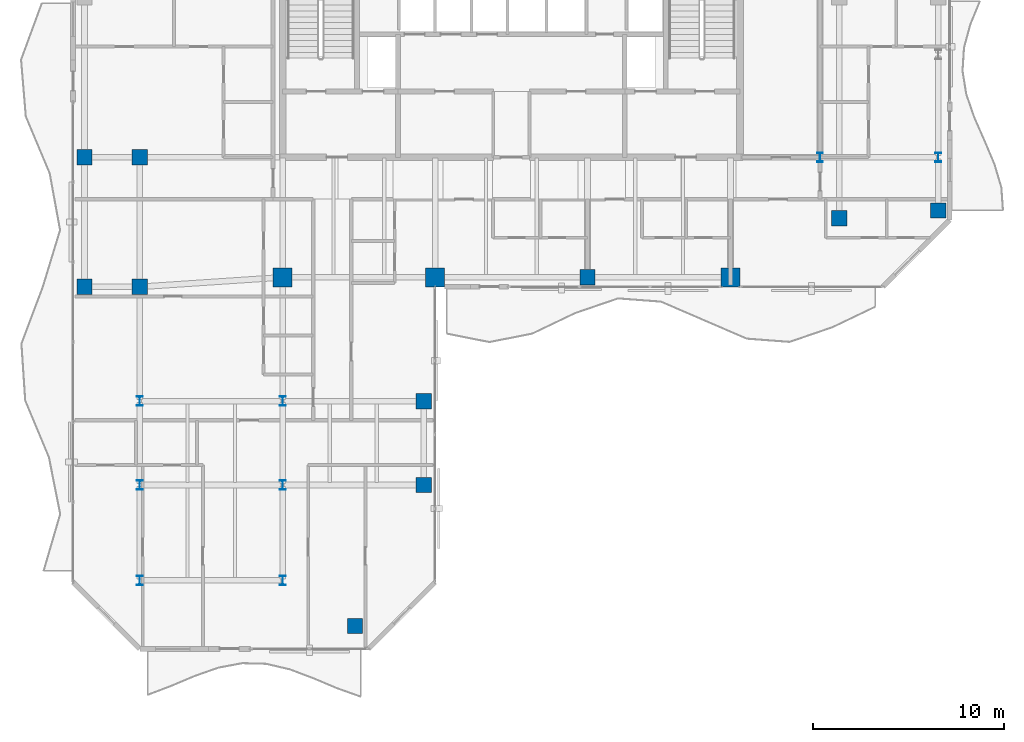
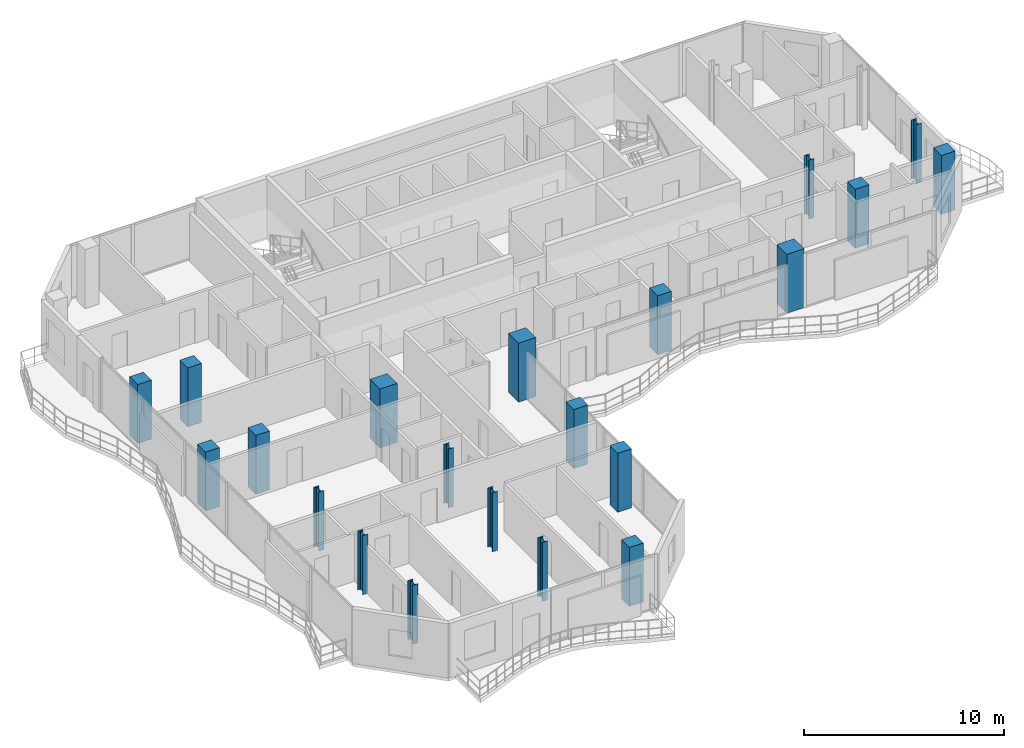
# One storey, part 1 of 24: 21 columns.
"""IFC4 building model written with IfcOpenShell, lengths in metres."""

from ifc_helpers import new_model, si_unit, direction, frame, origin, origin_2d, place, context, subcontext, project, spatial, rectangle, i_section, extrude, material, material_profile, profile_set, type_object, element, save


model = new_model("IFC4")

# Units and contexts
model_context = context("Model", 3, precision=1e-05, world=origin(), true_north=direction((0.0, 1.0)))
body_context = subcontext(model_context, "Body", "Model", "MODEL_VIEW")
ifc_project = project(units=[si_unit("LENGTHUNIT", "METRE"), si_unit("AREAUNIT", "SQUARE_METRE"), si_unit("VOLUMEUNIT", "CUBIC_METRE"), si_unit("PLANEANGLEUNIT", "RADIAN"), si_unit("MASSUNIT", "GRAM", prefix="KILO")], contexts=[model_context])

# Site, building, storey
site_placement = place(None, origin())
site = spatial("IfcSite", under=ifc_project, at=site_placement, CompositionType="ELEMENT")
building_placement = place(site_placement, origin())
building = spatial("IfcBuilding", under=site, at=building_placement, Name="Catumbela Crestline Tower", CompositionType="ELEMENT")
storey_placement = place(building_placement, frame((0.0, 0.0, 157.8)))
storey = spatial("IfcBuildingStorey", under=building, at=storey_placement, Name="L40", CompositionType="ELEMENT", Elevation=157.8)

# Columns
ifc_material_1 = material(Name="Concrete C50/60", Category="concrete")
ifc_material_profile_1 = material_profile(ifc_material_1, rectangle(XDim=1.0, YDim=1.0, at=origin_2d()), Name="RC 1000x1000")
ifc_profile_set_1 = profile_set([ifc_material_profile_1], Name="Concrete C50/60")
column_type_1 = type_object("IfcColumnType", Name="C-RC1000-C50", PredefinedType="COLUMN", material=ifc_profile_set_1)
for number, where, z_axis, x_axis, name in (
    (1, (16.0, 24.5, 0.0), (0.0, 0.0, 1.0), (1.0, 0.0, 0.0), "L40 Column C-16-24 (RC 1000x1000)"),
    (2, (24.0, 24.5, 0.0), (0.0, 0.0, 1.0), (1.0, 0.0, 0.0), "L40 Column C-24-24 (RC 1000x1000)"),
    (3, (39.5, 24.5, 0.0), (0.0, 0.0, 1.0), (1.0, 0.0, 0.0), "L40 Column C-40-24 (RC 1000x1000)"),
):
    element("IfcColumn", number, at=place(storey_placement, frame(where, z_axis=z_axis, x_axis=x_axis)), inside=storey, type_object=column_type_1, Name=name, PredefinedType="COLUMN", context=body_context, shape_type="SweptSolid", body=[
        extrude(rectangle(XDim=1.0, YDim=1.0, at=origin_2d()), origin(), (0.0, 0.0, 1.0), 3.6),
    ])
ifc_material_profile_2 = material_profile(ifc_material_1, rectangle(XDim=0.8, YDim=0.8, at=origin_2d()), Name="RC 800x800")
ifc_profile_set_2 = profile_set([ifc_material_profile_2], Name="Concrete C50/60")
column_type_2 = type_object("IfcColumnType", Name="C-RC800-C50", PredefinedType="COLUMN", material=ifc_profile_set_2)
for number, where, z_axis, x_axis, name in (
    (4, (8.5, 24.0, 0.0), (0.0, 0.0, 1.0), (1.0, 0.0, 0.0), "L40 Column C-08-24 (RC 800x800)"),
    (5, (32.0, 24.5, 0.0), (0.0, 0.0, 1.0), (1.0, 0.0, 0.0), "L40 Column C-32-24 (RC 800x800)"),
    (6, (5.6, 24.0, 0.0), (0.0, 0.0, 1.0), (1.0, 0.0, 0.0), "L40 Column C-05-24 (RC 800x800)"),
    (7, (5.6, 30.8, 0.0), (0.0, 0.0, 1.0), (1.0, 0.0, 0.0), "L40 Column C-05-31 (RC 800x800)"),
    (8, (8.5, 30.8, 0.0), (0.0, 0.0, 1.0), (1.0, 0.0, 0.0), "L40 Column C-08-31 (RC 800x800)"),
    (9, (45.2, 27.6, 0.0), (0.0, 0.0, 1.0), (1.0, 0.0, 0.0), "L40 Column C-46-24 (RC 800x800)"),
    (10, (50.4, 28.0, 0.0), (0.0, 0.0, 1.0), (1.0, 0.0, 0.0), "L40 Column C-51-24 (RC 800x800)"),
    (11, (19.8, 6.2, 0.0), (0.0, 0.0, 1.0), (1.0, 0.0, 0.0), "L40 Column C-24-05 (RC 800x800)"),
    (12, (23.4, 13.6, 0.0), (0.0, 0.0, 1.0), (1.0, 0.0, 0.0), "L40 Column C-24-10 (RC 800x800)"),
    (13, (23.4, 18.0, 0.0), (0.0, 0.0, 1.0), (1.0, 0.0, 0.0), "L40 Column C-24-16 (RC 800x800)"),
):
    element("IfcColumn", number, at=place(storey_placement, frame(where, z_axis=z_axis, x_axis=x_axis)), inside=storey, type_object=column_type_2, Name=name, PredefinedType="COLUMN", context=body_context, shape_type="SweptSolid", body=[
        extrude(rectangle(XDim=0.8, YDim=0.8, at=origin_2d()), origin(), (0.0, 0.0, 1.0), 3.6),
    ])
ifc_material_2 = material(Name="Structural steel S355J2", Category="steel")
ifc_material_profile_3 = material_profile(ifc_material_2, i_section(OverallWidth=0.3, OverallDepth=0.5, WebThickness=0.0145, FlangeThickness=0.028, FilletRadius=0.027, at=origin_2d()), Name="HEB 500")
ifc_profile_set_3 = profile_set([ifc_material_profile_3], Name="Structural steel S355J2")
column_type_3 = type_object("IfcColumnType", Name="C-ST-HEB500", PredefinedType="COLUMN", material=ifc_profile_set_3)
for number, where, z_axis, x_axis, name in (
    (14, (8.5, 8.6, 0.0), (0.0, 0.0, 1.0), (1.0, 0.0, 0.0), "L40 Column CT-05-05 (HEB 500)"),
    (15, (16.0, 8.6, 0.0), (0.0, 0.0, 1.0), (1.0, 0.0, 0.0), "L40 Column CT-14-05 (HEB 500)"),
    (16, (8.5, 13.6, 0.0), (0.0, 0.0, 1.0), (1.0, 0.0, 0.0), "L40 Column CT-05-10 (HEB 500)"),
    (17, (16.0, 13.6, 0.0), (0.0, 0.0, 1.0), (1.0, 0.0, 0.0), "L40 Column CT-14-10 (HEB 500)"),
    (18, (8.5, 18.0, 0.0), (0.0, 0.0, 1.0), (1.0, 0.0, 0.0), "L40 Column CT-05-16 (HEB 500)"),
    (19, (16.0, 18.0, 0.0), (0.0, 0.0, 1.0), (1.0, 0.0, 0.0), "L40 Column CT-14-16 (HEB 500)"),
    (20, (44.2, 30.8, 0.0), (0.0, 0.0, 1.0), (1.0, 0.0, 0.0), "L40 Column CT-46-31 (HEB 500)"),
    (21, (50.4, 30.8, 0.0), (0.0, 0.0, 1.0), (1.0, 0.0, 0.0), "L40 Column CT-51-31 (HEB 500)"),
):
    element("IfcColumn", number, at=place(storey_placement, frame(where, z_axis=z_axis, x_axis=x_axis)), inside=storey, type_object=column_type_3, Name=name, PredefinedType="COLUMN", context=body_context, shape_type="SweptSolid", body=[
        extrude(i_section(OverallWidth=0.3, OverallDepth=0.5, WebThickness=0.0145, FlangeThickness=0.028, FilletRadius=0.027, at=origin_2d()), origin(), (0.0, 0.0, 1.0), 3.6),
    ])

save(model, "model.ifc")
